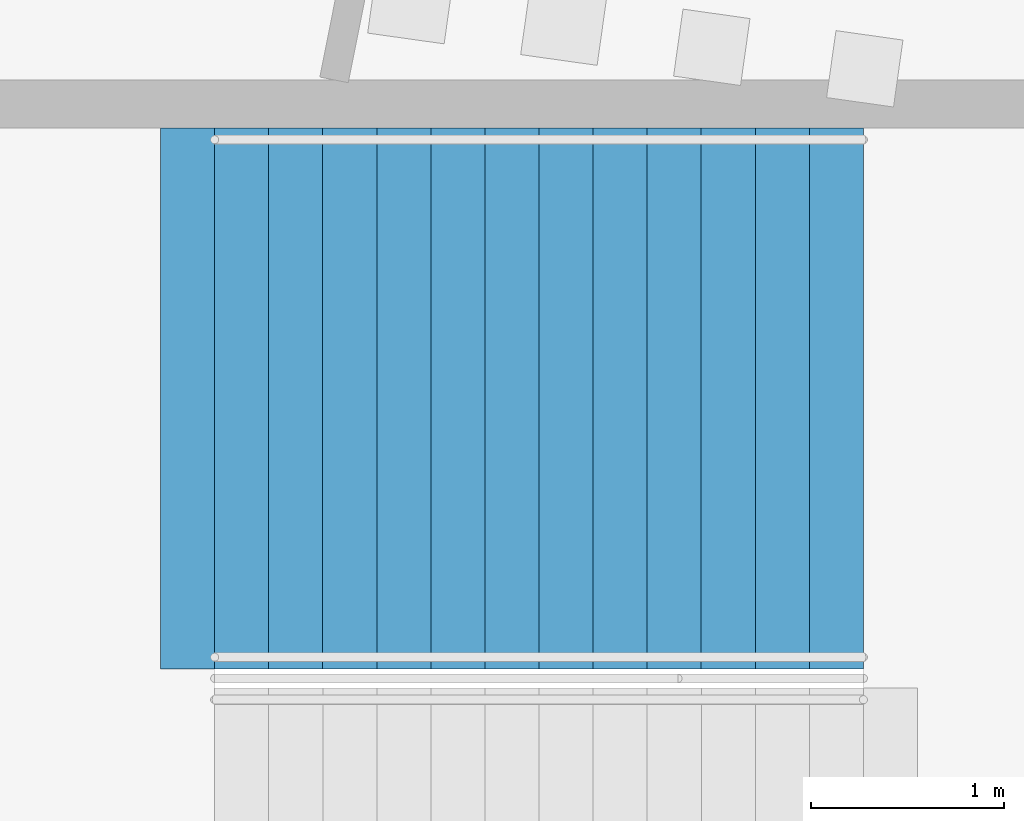
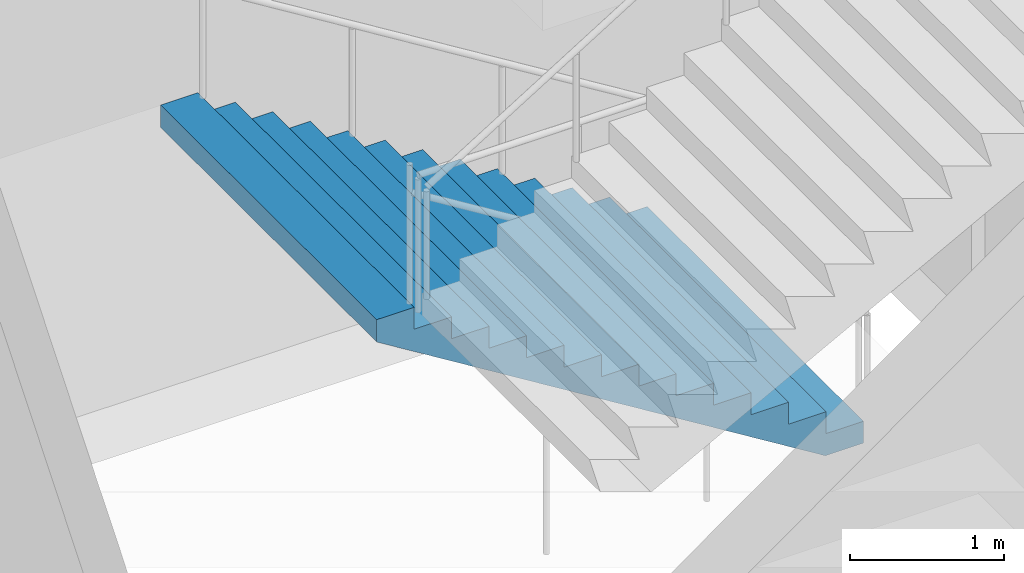
# One storey, part 135 of 177: 1 stair flight, 1 element without a shape of its own.
"""IFC4 building model written with IfcOpenShell, lengths in metres."""

from ifc_helpers import new_model, si_unit, direction, frame, origin, place, context, subcontext, project, spatial, faceted_brep, material, type_object, element, aggregate, save


model = new_model("IFC4")

# Units and contexts
model_context = context("Model", 3, precision=1e-05, world=origin(), true_north=direction((0.0, 1.0)))
body_context = subcontext(model_context, "Body", "Model", "MODEL_VIEW")
ifc_project = project(units=[si_unit("LENGTHUNIT", "METRE"), si_unit("AREAUNIT", "SQUARE_METRE"), si_unit("VOLUMEUNIT", "CUBIC_METRE"), si_unit("PLANEANGLEUNIT", "RADIAN"), si_unit("MASSUNIT", "GRAM", prefix="KILO")], contexts=[model_context])

# Site, building, storey
site_placement = place(None, origin())
site = spatial("IfcSite", under=ifc_project, at=site_placement, CompositionType="ELEMENT")
building_placement = place(site_placement, origin())
building = spatial("IfcBuilding", under=site, at=building_placement, Name="Ogive Plaza Stadium", CompositionType="ELEMENT")
storey_placement = place(building_placement, frame((0.0, 0.0, 18.0)))
storey = spatial("IfcBuildingStorey", under=building, at=storey_placement, Name="L04", CompositionType="ELEMENT", Elevation=18.0)

# Stair, stair flight
ifc_material_1 = material(Name="Concrete C40/50", Category="concrete")
stair_type = type_object("IfcStairType", Name="Exit stair", PredefinedType="STRAIGHT_RUN_STAIR", material=ifc_material_1)
stair_placement = place(storey_placement, origin())
stair = element("IfcStair", 1, at=stair_placement, inside=storey, type_object=stair_type, Name="Exit stair ST28A L04 to L05", PredefinedType="STRAIGHT_RUN_STAIR")
ifc_material_2 = material(Name="Concrete C40/50", Category="concrete")
stair_flight_type = type_object("IfcStairFlightType", Name="Exit stair flight", PredefinedType="STRAIGHT", material=ifc_material_2)
stair_flight_placement = place(storey_placement, frame((-76.35009765625, 56.925048828125, 0.0), z_axis=(0.0, 0.0, 1.0), x_axis=(-1.0, 0.0, 0.0)))
stair_flight = element("IfcStairFlight", 2, at=stair_flight_placement, type_object=stair_flight_type, Name="ST28A flight 1", NumberOfRisers=13, NumberOfTreads=12, PredefinedType="STRAIGHT", RiserHeight=0.173076923, TreadLength=0.28, context=body_context, shape_type="Brep", body=[
    faceted_brep([(0.28515625, -1.39990234375, 0.0), (3.639892578125, -1.39990234375, 2.07373046875), (3.639892578125, -1.39990234375, 2.25), (3.360107421875, -1.39990234375, 2.25), (3.360107421875, -1.39990234375, 2.076904296875), (3.080078125, -1.39990234375, 2.076904296875), (3.080078125, -1.39990234375, 1.90380859375), (2.800048828125, -1.39990234375, 1.90380859375), (2.800048828125, -1.39990234375, 1.730712890625), (2.52001953125, -1.39990234375, 1.730712890625), (2.52001953125, -1.39990234375, 1.5576171875), (2.239990234375, -1.39990234375, 1.5576171875), (2.239990234375, -1.39990234375, 1.384521484375), (1.9599609375, -1.39990234375, 1.384521484375), (1.9599609375, -1.39990234375, 1.21142578125), (1.679931640625, -1.39990234375, 1.21142578125), (1.679931640625, -1.39990234375, 1.03857421875), (1.39990234375, -1.39990234375, 1.03857421875), (1.39990234375, -1.39990234375, 0.865478515625), (1.1201171875, -1.39990234375, 0.865478515625), (1.1201171875, -1.39990234375, 0.6923828125), (0.840087890625, -1.39990234375, 0.6923828125), (0.840087890625, -1.39990234375, 0.519287109375), (0.56005859375, -1.39990234375, 0.519287109375), (0.56005859375, -1.39990234375, 0.34619140625), (0.280029296875, -1.39990234375, 0.34619140625), (0.280029296875, -1.39990234375, 0.173095703125), (0.0, -1.39990234375, 0.173095703125), (0.0, -1.39990234375, 0.0), (0.0, 1.39990234375, 0.0), (0.0, 1.39990234375, 0.173095703125), (0.280029296875, 1.39990234375, 0.173095703125), (0.280029296875, 1.39990234375, 0.34619140625), (0.56005859375, 1.39990234375, 0.34619140625), (0.56005859375, 1.39990234375, 0.519287109375), (0.840087890625, 1.39990234375, 0.519287109375), (0.840087890625, 1.39990234375, 0.6923828125), (1.1201171875, 1.39990234375, 0.6923828125), (1.1201171875, 1.39990234375, 0.865478515625), (1.39990234375, 1.39990234375, 0.865478515625), (1.39990234375, 1.39990234375, 1.03857421875), (1.679931640625, 1.39990234375, 1.03857421875), (1.679931640625, 1.39990234375, 1.21142578125), (1.9599609375, 1.39990234375, 1.21142578125), (1.9599609375, 1.39990234375, 1.384521484375), (2.239990234375, 1.39990234375, 1.384521484375), (2.239990234375, 1.39990234375, 1.5576171875), (2.52001953125, 1.39990234375, 1.5576171875), (2.52001953125, 1.39990234375, 1.730712890625), (2.800048828125, 1.39990234375, 1.730712890625), (2.800048828125, 1.39990234375, 1.90380859375), (3.080078125, 1.39990234375, 1.90380859375), (3.080078125, 1.39990234375, 2.076904296875), (3.360107421875, 1.39990234375, 2.076904296875), (3.360107421875, 1.39990234375, 2.25), (3.639892578125, 1.39990234375, 2.25), (3.639892578125, 1.39990234375, 2.07373046875), (0.28515625, 1.39990234375, 0.0), (0.28515625, -1.0888671875, 0.0), (3.639892578125, -1.0888671875, 2.07373046875), (0.28515625, -0.77783203125, 0.0), (3.639892578125, -0.77783203125, 2.07373046875), (0.28515625, -0.466796875, 0.0), (3.639892578125, -0.466796875, 2.07373046875), (0.28515625, -0.155517578125, 0.0), (3.639892578125, -0.155517578125, 2.07373046875), (0.28515625, 0.155517578125, 0.0), (3.639892578125, 0.155517578125, 2.07373046875), (0.28515625, 0.466796875, 0.0), (3.639892578125, 0.466796875, 2.07373046875), (0.28515625, 0.77783203125, 0.0), (3.639892578125, 0.77783203125, 2.07373046875), (0.28515625, 1.0888671875, 0.0), (3.639892578125, 1.0888671875, 2.07373046875), (3.639892578125, -1.0888671875, 2.25), (3.639892578125, -0.77783203125, 2.25), (3.639892578125, -0.466796875, 2.25), (3.639892578125, -0.155517578125, 2.25), (3.639892578125, 0.155517578125, 2.25), (3.639892578125, 0.466796875, 2.25), (3.639892578125, 0.77783203125, 2.25), (3.639892578125, 1.0888671875, 2.25), (3.360107421875, -1.0888671875, 2.25), (3.360107421875, -0.77783203125, 2.25), (3.360107421875, -0.466796875, 2.25), (3.360107421875, -0.155517578125, 2.25), (3.360107421875, 0.155517578125, 2.25), (3.360107421875, 0.466796875, 2.25), (3.360107421875, 0.77783203125, 2.25), (3.360107421875, 1.0888671875, 2.25), (3.360107421875, -1.0888671875, 2.076904296875), (3.360107421875, -0.77783203125, 2.076904296875), (3.360107421875, -0.466796875, 2.076904296875), (3.360107421875, -0.155517578125, 2.076904296875), (3.360107421875, 0.155517578125, 2.076904296875), (3.360107421875, 0.466796875, 2.076904296875), (3.360107421875, 0.77783203125, 2.076904296875), (3.360107421875, 1.0888671875, 2.076904296875), (3.080078125, -1.0888671875, 2.076904296875), (3.080078125, -0.77783203125, 2.076904296875), (3.080078125, -0.466796875, 2.076904296875), (3.080078125, -0.155517578125, 2.076904296875), (3.080078125, 0.155517578125, 2.076904296875), (3.080078125, 0.466796875, 2.076904296875), (3.080078125, 0.77783203125, 2.076904296875), (3.080078125, 1.0888671875, 2.076904296875), (3.080078125, -1.0888671875, 1.90380859375), (3.080078125, -0.77783203125, 1.90380859375), (3.080078125, -0.466796875, 1.90380859375), (3.080078125, -0.155517578125, 1.90380859375), (3.080078125, 0.155517578125, 1.90380859375), (3.080078125, 0.466796875, 1.90380859375), (3.080078125, 0.77783203125, 1.90380859375), (3.080078125, 1.0888671875, 1.90380859375), (2.800048828125, -1.0888671875, 1.90380859375), (2.800048828125, -0.77783203125, 1.90380859375), (2.800048828125, -0.466796875, 1.90380859375), (2.800048828125, -0.155517578125, 1.90380859375), (2.800048828125, 0.155517578125, 1.90380859375), (2.800048828125, 0.466796875, 1.90380859375), (2.800048828125, 0.77783203125, 1.90380859375), (2.800048828125, 1.0888671875, 1.90380859375), (2.800048828125, -1.0888671875, 1.730712890625), (2.800048828125, -0.77783203125, 1.730712890625), (2.800048828125, -0.466796875, 1.730712890625), (2.800048828125, -0.155517578125, 1.730712890625), (2.800048828125, 0.155517578125, 1.730712890625), (2.800048828125, 0.466796875, 1.730712890625), (2.800048828125, 0.77783203125, 1.730712890625), (2.800048828125, 1.0888671875, 1.730712890625), (2.52001953125, -1.0888671875, 1.730712890625), (2.52001953125, -0.77783203125, 1.730712890625), (2.52001953125, -0.466796875, 1.730712890625), (2.52001953125, -0.155517578125, 1.730712890625), (2.52001953125, 0.155517578125, 1.730712890625), (2.52001953125, 0.466796875, 1.730712890625), (2.52001953125, 0.77783203125, 1.730712890625), (2.52001953125, 1.0888671875, 1.730712890625), (2.52001953125, -1.0888671875, 1.5576171875), (2.52001953125, -0.77783203125, 1.5576171875), (2.52001953125, -0.466796875, 1.5576171875), (2.52001953125, -0.155517578125, 1.5576171875), (2.52001953125, 0.155517578125, 1.5576171875), (2.52001953125, 0.466796875, 1.5576171875), (2.52001953125, 0.77783203125, 1.5576171875), (2.52001953125, 1.0888671875, 1.5576171875), (2.239990234375, -1.0888671875, 1.5576171875), (2.239990234375, -0.77783203125, 1.5576171875), (2.239990234375, -0.466796875, 1.5576171875), (2.239990234375, -0.155517578125, 1.5576171875), (2.239990234375, 0.155517578125, 1.5576171875), (2.239990234375, 0.466796875, 1.5576171875), (2.239990234375, 0.77783203125, 1.5576171875), (2.239990234375, 1.0888671875, 1.5576171875), (2.239990234375, -1.0888671875, 1.384521484375), (2.239990234375, -0.77783203125, 1.384521484375), (2.239990234375, -0.466796875, 1.384521484375), (2.239990234375, -0.155517578125, 1.384521484375), (2.239990234375, 0.155517578125, 1.384521484375), (2.239990234375, 0.466796875, 1.384521484375), (2.239990234375, 0.77783203125, 1.384521484375), (2.239990234375, 1.0888671875, 1.384521484375), (1.9599609375, -1.0888671875, 1.384521484375), (1.9599609375, -0.77783203125, 1.384521484375), (1.9599609375, -0.466796875, 1.384521484375), (1.9599609375, -0.155517578125, 1.384521484375), (1.9599609375, 0.155517578125, 1.384521484375), (1.9599609375, 0.466796875, 1.384521484375), (1.9599609375, 0.77783203125, 1.384521484375), (1.9599609375, 1.0888671875, 1.384521484375), (1.9599609375, -1.0888671875, 1.21142578125), (1.9599609375, -0.77783203125, 1.21142578125), (1.9599609375, -0.466796875, 1.21142578125), (1.9599609375, -0.155517578125, 1.21142578125), (1.9599609375, 0.155517578125, 1.21142578125), (1.9599609375, 0.466796875, 1.21142578125), (1.9599609375, 0.77783203125, 1.21142578125), (1.9599609375, 1.0888671875, 1.21142578125), (1.679931640625, -1.0888671875, 1.21142578125), (1.679931640625, -0.77783203125, 1.21142578125), (1.679931640625, -0.466796875, 1.21142578125), (1.679931640625, -0.155517578125, 1.21142578125), (1.679931640625, 0.155517578125, 1.21142578125), (1.679931640625, 0.466796875, 1.21142578125), (1.679931640625, 0.77783203125, 1.21142578125), (1.679931640625, 1.0888671875, 1.21142578125), (1.679931640625, -1.0888671875, 1.03857421875), (1.679931640625, -0.77783203125, 1.03857421875), (1.679931640625, -0.466796875, 1.03857421875), (1.679931640625, -0.155517578125, 1.03857421875), (1.679931640625, 0.155517578125, 1.03857421875), (1.679931640625, 0.466796875, 1.03857421875), (1.679931640625, 0.77783203125, 1.03857421875), (1.679931640625, 1.0888671875, 1.03857421875), (1.39990234375, -1.0888671875, 1.03857421875), (1.39990234375, -0.77783203125, 1.03857421875), (1.39990234375, -0.466796875, 1.03857421875), (1.39990234375, -0.155517578125, 1.03857421875), (1.39990234375, 0.155517578125, 1.03857421875), (1.39990234375, 0.466796875, 1.03857421875), (1.39990234375, 0.77783203125, 1.03857421875), (1.39990234375, 1.0888671875, 1.03857421875), (1.39990234375, -1.0888671875, 0.865478515625), (1.39990234375, -0.77783203125, 0.865478515625), (1.39990234375, -0.466796875, 0.865478515625), (1.39990234375, -0.155517578125, 0.865478515625), (1.39990234375, 0.155517578125, 0.865478515625), (1.39990234375, 0.466796875, 0.865478515625), (1.39990234375, 0.77783203125, 0.865478515625), (1.39990234375, 1.0888671875, 0.865478515625), (1.1201171875, -1.0888671875, 0.865478515625), (1.1201171875, -0.77783203125, 0.865478515625), (1.1201171875, -0.466796875, 0.865478515625), (1.1201171875, -0.155517578125, 0.865478515625), (1.1201171875, 0.155517578125, 0.865478515625), (1.1201171875, 0.466796875, 0.865478515625), (1.1201171875, 0.77783203125, 0.865478515625), (1.1201171875, 1.0888671875, 0.865478515625), (1.1201171875, -1.0888671875, 0.6923828125), (1.1201171875, -0.77783203125, 0.6923828125), (1.1201171875, -0.466796875, 0.6923828125), (1.1201171875, -0.155517578125, 0.6923828125), (1.1201171875, 0.155517578125, 0.6923828125), (1.1201171875, 0.466796875, 0.6923828125), (1.1201171875, 0.77783203125, 0.6923828125), (1.1201171875, 1.0888671875, 0.6923828125), (0.840087890625, -1.0888671875, 0.6923828125), (0.840087890625, -0.77783203125, 0.6923828125), (0.840087890625, -0.466796875, 0.6923828125), (0.840087890625, -0.155517578125, 0.6923828125), (0.840087890625, 0.155517578125, 0.6923828125), (0.840087890625, 0.466796875, 0.6923828125), (0.840087890625, 0.77783203125, 0.6923828125), (0.840087890625, 1.0888671875, 0.6923828125), (0.840087890625, -1.0888671875, 0.519287109375), (0.840087890625, -0.77783203125, 0.519287109375), (0.840087890625, -0.466796875, 0.519287109375), (0.840087890625, -0.155517578125, 0.519287109375), (0.840087890625, 0.155517578125, 0.519287109375), (0.840087890625, 0.466796875, 0.519287109375), (0.840087890625, 0.77783203125, 0.519287109375), (0.840087890625, 1.0888671875, 0.519287109375), (0.56005859375, -1.0888671875, 0.519287109375), (0.56005859375, -0.77783203125, 0.519287109375), (0.56005859375, -0.466796875, 0.519287109375), (0.56005859375, -0.155517578125, 0.519287109375), (0.56005859375, 0.155517578125, 0.519287109375), (0.56005859375, 0.466796875, 0.519287109375), (0.56005859375, 0.77783203125, 0.519287109375), (0.56005859375, 1.0888671875, 0.519287109375), (0.56005859375, -1.0888671875, 0.34619140625), (0.56005859375, -0.77783203125, 0.34619140625), (0.56005859375, -0.466796875, 0.34619140625), (0.56005859375, -0.155517578125, 0.34619140625), (0.56005859375, 0.155517578125, 0.34619140625), (0.56005859375, 0.466796875, 0.34619140625), (0.56005859375, 0.77783203125, 0.34619140625), (0.56005859375, 1.0888671875, 0.34619140625), (0.280029296875, -1.0888671875, 0.34619140625), (0.280029296875, -0.77783203125, 0.34619140625), (0.280029296875, -0.466796875, 0.34619140625), (0.280029296875, -0.155517578125, 0.34619140625), (0.280029296875, 0.155517578125, 0.34619140625), (0.280029296875, 0.466796875, 0.34619140625), (0.280029296875, 0.77783203125, 0.34619140625), (0.280029296875, 1.0888671875, 0.34619140625), (0.280029296875, -1.0888671875, 0.173095703125), (0.280029296875, -0.77783203125, 0.173095703125), (0.280029296875, -0.466796875, 0.173095703125), (0.280029296875, -0.155517578125, 0.173095703125), (0.280029296875, 0.155517578125, 0.173095703125), (0.280029296875, 0.466796875, 0.173095703125), (0.280029296875, 0.77783203125, 0.173095703125), (0.280029296875, 1.0888671875, 0.173095703125), (0.0, -1.0888671875, 0.173095703125), (0.0, -0.77783203125, 0.173095703125), (0.0, -0.466796875, 0.173095703125), (0.0, -0.155517578125, 0.173095703125), (0.0, 0.155517578125, 0.173095703125), (0.0, 0.466796875, 0.173095703125), (0.0, 0.77783203125, 0.173095703125), (0.0, 1.0888671875, 0.173095703125), (0.0, -1.0888671875, 0.0), (0.0, -0.77783203125, 0.0), (0.0, -0.466796875, 0.0), (0.0, -0.155517578125, 0.0), (0.0, 0.155517578125, 0.0), (0.0, 0.466796875, 0.0), (0.0, 0.77783203125, 0.0), (0.0, 1.0888671875, 0.0)], [[[0, 1, 2, 3, 4, 5, 6, 7, 8, 9, 10, 11, 12, 13, 14, 15, 16, 17, 18, 19, 20, 21, 22, 23, 24, 25, 26, 27, 28]], [[29, 30, 31, 32, 33, 34, 35, 36, 37, 38, 39, 40, 41, 42, 43, 44, 45, 46, 47, 48, 49, 50, 51, 52, 53, 54, 55, 56, 57]], [[0, 58, 59, 1]], [[58, 60, 61, 59]], [[60, 62, 63, 61]], [[62, 64, 65, 63]], [[64, 66, 67, 65]], [[66, 68, 69, 67]], [[68, 70, 71, 69]], [[70, 72, 73, 71]], [[72, 57, 56, 73]], [[1, 59, 74, 2]], [[59, 61, 75, 74]], [[61, 63, 76, 75]], [[63, 65, 77, 76]], [[65, 67, 78, 77]], [[67, 69, 79, 78]], [[69, 71, 80, 79]], [[71, 73, 81, 80]], [[73, 56, 55, 81]], [[2, 74, 82, 3]], [[74, 75, 83, 82]], [[75, 76, 84, 83]], [[76, 77, 85, 84]], [[77, 78, 86, 85]], [[78, 79, 87, 86]], [[79, 80, 88, 87]], [[80, 81, 89, 88]], [[81, 55, 54, 89]], [[3, 82, 90, 4]], [[82, 83, 91, 90]], [[83, 84, 92, 91]], [[84, 85, 93, 92]], [[85, 86, 94, 93]], [[86, 87, 95, 94]], [[87, 88, 96, 95]], [[88, 89, 97, 96]], [[89, 54, 53, 97]], [[4, 90, 98, 5]], [[90, 91, 99, 98]], [[91, 92, 100, 99]], [[92, 93, 101, 100]], [[93, 94, 102, 101]], [[94, 95, 103, 102]], [[95, 96, 104, 103]], [[96, 97, 105, 104]], [[97, 53, 52, 105]], [[5, 98, 106, 6]], [[98, 99, 107, 106]], [[99, 100, 108, 107]], [[100, 101, 109, 108]], [[101, 102, 110, 109]], [[102, 103, 111, 110]], [[103, 104, 112, 111]], [[104, 105, 113, 112]], [[105, 52, 51, 113]], [[6, 106, 114, 7]], [[106, 107, 115, 114]], [[107, 108, 116, 115]], [[108, 109, 117, 116]], [[109, 110, 118, 117]], [[110, 111, 119, 118]], [[111, 112, 120, 119]], [[112, 113, 121, 120]], [[113, 51, 50, 121]], [[7, 114, 122, 8]], [[114, 115, 123, 122]], [[115, 116, 124, 123]], [[116, 117, 125, 124]], [[117, 118, 126, 125]], [[118, 119, 127, 126]], [[119, 120, 128, 127]], [[120, 121, 129, 128]], [[121, 50, 49, 129]], [[8, 122, 130, 9]], [[122, 123, 131, 130]], [[123, 124, 132, 131]], [[124, 125, 133, 132]], [[125, 126, 134, 133]], [[126, 127, 135, 134]], [[127, 128, 136, 135]], [[128, 129, 137, 136]], [[129, 49, 48, 137]], [[9, 130, 138, 10]], [[130, 131, 139, 138]], [[131, 132, 140, 139]], [[132, 133, 141, 140]], [[133, 134, 142, 141]], [[134, 135, 143, 142]], [[135, 136, 144, 143]], [[136, 137, 145, 144]], [[137, 48, 47, 145]], [[10, 138, 146, 11]], [[138, 139, 147, 146]], [[139, 140, 148, 147]], [[140, 141, 149, 148]], [[141, 142, 150, 149]], [[142, 143, 151, 150]], [[143, 144, 152, 151]], [[144, 145, 153, 152]], [[145, 47, 46, 153]], [[11, 146, 154, 12]], [[146, 147, 155, 154]], [[147, 148, 156, 155]], [[148, 149, 157, 156]], [[149, 150, 158, 157]], [[150, 151, 159, 158]], [[151, 152, 160, 159]], [[152, 153, 161, 160]], [[153, 46, 45, 161]], [[12, 154, 162, 13]], [[154, 155, 163, 162]], [[155, 156, 164, 163]], [[156, 157, 165, 164]], [[157, 158, 166, 165]], [[158, 159, 167, 166]], [[159, 160, 168, 167]], [[160, 161, 169, 168]], [[161, 45, 44, 169]], [[13, 162, 170, 14]], [[162, 163, 171, 170]], [[163, 164, 172, 171]], [[164, 165, 173, 172]], [[165, 166, 174, 173]], [[166, 167, 175, 174]], [[167, 168, 176, 175]], [[168, 169, 177, 176]], [[169, 44, 43, 177]], [[14, 170, 178, 15]], [[170, 171, 179, 178]], [[171, 172, 180, 179]], [[172, 173, 181, 180]], [[173, 174, 182, 181]], [[174, 175, 183, 182]], [[175, 176, 184, 183]], [[176, 177, 185, 184]], [[177, 43, 42, 185]], [[15, 178, 186, 16]], [[178, 179, 187, 186]], [[179, 180, 188, 187]], [[180, 181, 189, 188]], [[181, 182, 190, 189]], [[182, 183, 191, 190]], [[183, 184, 192, 191]], [[184, 185, 193, 192]], [[185, 42, 41, 193]], [[16, 186, 194, 17]], [[186, 187, 195, 194]], [[187, 188, 196, 195]], [[188, 189, 197, 196]], [[189, 190, 198, 197]], [[190, 191, 199, 198]], [[191, 192, 200, 199]], [[192, 193, 201, 200]], [[193, 41, 40, 201]], [[17, 194, 202, 18]], [[194, 195, 203, 202]], [[195, 196, 204, 203]], [[196, 197, 205, 204]], [[197, 198, 206, 205]], [[198, 199, 207, 206]], [[199, 200, 208, 207]], [[200, 201, 209, 208]], [[201, 40, 39, 209]], [[18, 202, 210, 19]], [[202, 203, 211, 210]], [[203, 204, 212, 211]], [[204, 205, 213, 212]], [[205, 206, 214, 213]], [[206, 207, 215, 214]], [[207, 208, 216, 215]], [[208, 209, 217, 216]], [[209, 39, 38, 217]], [[19, 210, 218, 20]], [[210, 211, 219, 218]], [[211, 212, 220, 219]], [[212, 213, 221, 220]], [[213, 214, 222, 221]], [[214, 215, 223, 222]], [[215, 216, 224, 223]], [[216, 217, 225, 224]], [[217, 38, 37, 225]], [[20, 218, 226, 21]], [[218, 219, 227, 226]], [[219, 220, 228, 227]], [[220, 221, 229, 228]], [[221, 222, 230, 229]], [[222, 223, 231, 230]], [[223, 224, 232, 231]], [[224, 225, 233, 232]], [[225, 37, 36, 233]], [[21, 226, 234, 22]], [[226, 227, 235, 234]], [[227, 228, 236, 235]], [[228, 229, 237, 236]], [[229, 230, 238, 237]], [[230, 231, 239, 238]], [[231, 232, 240, 239]], [[232, 233, 241, 240]], [[233, 36, 35, 241]], [[22, 234, 242, 23]], [[234, 235, 243, 242]], [[235, 236, 244, 243]], [[236, 237, 245, 244]], [[237, 238, 246, 245]], [[238, 239, 247, 246]], [[239, 240, 248, 247]], [[240, 241, 249, 248]], [[241, 35, 34, 249]], [[23, 242, 250, 24]], [[242, 243, 251, 250]], [[243, 244, 252, 251]], [[244, 245, 253, 252]], [[245, 246, 254, 253]], [[246, 247, 255, 254]], [[247, 248, 256, 255]], [[248, 249, 257, 256]], [[249, 34, 33, 257]], [[24, 250, 258, 25]], [[250, 251, 259, 258]], [[251, 252, 260, 259]], [[252, 253, 261, 260]], [[253, 254, 262, 261]], [[254, 255, 263, 262]], [[255, 256, 264, 263]], [[256, 257, 265, 264]], [[257, 33, 32, 265]], [[25, 258, 266, 26]], [[258, 259, 267, 266]], [[259, 260, 268, 267]], [[260, 261, 269, 268]], [[261, 262, 270, 269]], [[262, 263, 271, 270]], [[263, 264, 272, 271]], [[264, 265, 273, 272]], [[265, 32, 31, 273]], [[26, 266, 274, 27]], [[266, 267, 275, 274]], [[267, 268, 276, 275]], [[268, 269, 277, 276]], [[269, 270, 278, 277]], [[270, 271, 279, 278]], [[271, 272, 280, 279]], [[272, 273, 281, 280]], [[273, 31, 30, 281]], [[27, 274, 282, 28]], [[274, 275, 283, 282]], [[275, 276, 284, 283]], [[276, 277, 285, 284]], [[277, 278, 286, 285]], [[278, 279, 287, 286]], [[279, 280, 288, 287]], [[280, 281, 289, 288]], [[281, 30, 29, 289]], [[28, 282, 58, 0]], [[282, 283, 60, 58]], [[283, 284, 62, 60]], [[284, 285, 64, 62]], [[285, 286, 66, 64]], [[286, 287, 68, 66]], [[287, 288, 70, 68]], [[288, 289, 72, 70]], [[289, 29, 57, 72]]]),
])
aggregate(stair, [stair_flight])

save(model, "model.ifc")
